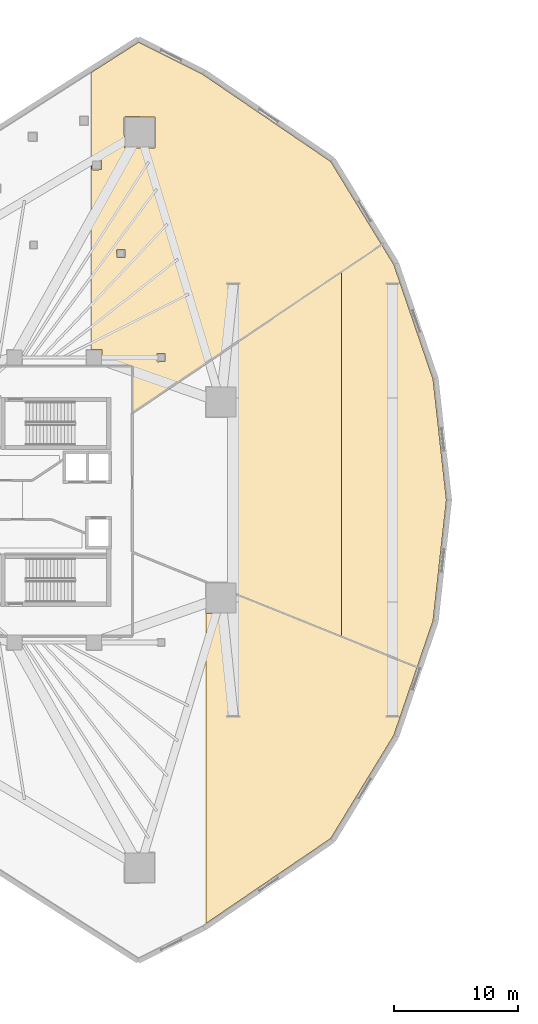
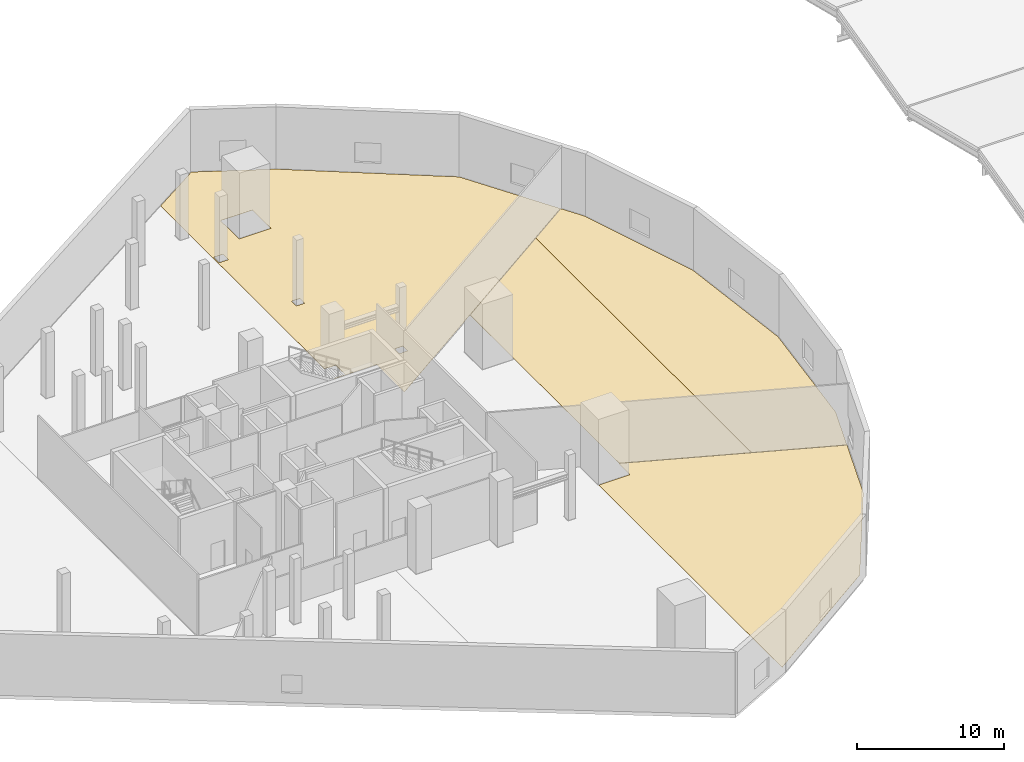
# One storey, part 36 of 36: 4 coverings.
"""IFC4 building model written with IfcOpenShell, lengths in metres."""

from ifc_helpers import new_model, si_unit, direction, frame, origin, place, context, subcontext, project, spatial, polyline, outline, extrude, material, layer, layer_set, type_object, element, save


model = new_model("IFC4")

# Units and contexts
model_context = context("Model", 3, precision=1e-05, world=origin(), true_north=direction((0.0, 1.0)))
body_context = subcontext(model_context, "Body", "Model", "MODEL_VIEW")
ifc_project = project(units=[si_unit("LENGTHUNIT", "METRE"), si_unit("AREAUNIT", "SQUARE_METRE"), si_unit("VOLUMEUNIT", "CUBIC_METRE"), si_unit("PLANEANGLEUNIT", "RADIAN"), si_unit("MASSUNIT", "GRAM", prefix="KILO")], contexts=[model_context])

# Site, building, storey
site_placement = place(None, origin())
site = spatial("IfcSite", under=ifc_project, at=site_placement, CompositionType="ELEMENT")
building_placement = place(site_placement, origin())
building = spatial("IfcBuilding", under=site, at=building_placement, Name="Qorvath Tower", CompositionType="ELEMENT")
storey_placement = place(building_placement, frame((0.0, 0.0, 27.0)))
storey = spatial("IfcBuildingStorey", under=building, at=storey_placement, Name="L05", CompositionType="ELEMENT", Elevation=27.0)

# Coverings
ifc_material = material(Name="Low-VOC modular carpet tile", Category="textile")
ifc_layer = layer(ifc_material, 0.014892578125)
ifc_layer_set = layer_set([ifc_layer], Name="COV-FLOOR-CPT")
covering_type = type_object("IfcCoveringType", Name="COV-FLOOR-CPT", PredefinedType="FLOORING", material=ifc_layer_set)
covering_1_placement = place(storey_placement, origin())
element("IfcCovering", 1, at=covering_1_placement, inside=storey, type_object=covering_type, Name="L05 Floor Finish 012", PredefinedType="FLOORING", context=body_context, shape_type="SweptSolid", body=[
    extrude(outline(polyline([(-17.43896484375, 34.36083984375), (-17.43896484375, 12.10498046875), (-16.5576171875, 12.092529296875), (-16.5576171875, 10.8076171875), (-17.43896484375, 10.8076171875), (-17.43896484375, 10.7626953125), (-14.112060546875, 10.762939453125), (-14.10693359375, 7.01611328125), (5.923828125, 20.527099609375), (1.83154296875, 27.215087890625), (-8.46533203125, 34.224365234375), (-13.619873046875, 36.801513671875), (-17.43896484375, 34.36083984375)]), holes=[polyline([(-12.135009765625, 11.175048828125), (-12.117431640625, 11.767333984375), (-11.482666015625, 11.767333984375), (-11.482666015625, 11.132568359375), (-12.074951171875, 11.114990234375), (-12.135009765625, 11.175048828125)]), polyline([(-14.780029296875, 30.76806640625), (-14.719970703125, 30.827880859375), (-12.277587890625, 30.810546875), (-12.277587890625, 28.32568359375), (-14.762451171875, 28.32568359375), (-14.780029296875, 30.76806640625)]), polyline([(-15.381103515625, 20.093017578125), (-15.321044921875, 20.153076171875), (-14.728759765625, 20.135498046875), (-14.728759765625, 19.500732421875), (-15.363525390625, 19.500732421875), (-15.381103515625, 20.093017578125)]), polyline([(-17.3662109375, 26.604248046875), (-17.3486328125, 27.296630859375), (-16.61376953125, 27.296630859375), (-16.61376953125, 26.561767578125), (-17.30615234375, 26.544189453125), (-17.3662109375, 26.604248046875)])]), origin(), (0.0, 0.0, 1.0), 0.014892578125),
])
covering_2_placement = place(storey_placement, origin())
element("IfcCovering", 2, at=covering_2_placement, inside=storey, type_object=covering_type, Name="L05 Floor Finish 016", PredefinedType="FLOORING", context=body_context, shape_type="SweptSolid", body=[
    extrude(outline(polyline([(-8.201171875, -9.122802734375), (-8.201171875, -34.044677734375), (1.83154296875, -27.215087890625), (6.9072265625, -18.919921875), (8.777099609375, -13.451416015625), (-5.73193359375, -7.5888671875), (-5.74951171875, -9.114501953125), (-8.19189453125, -9.132080078125), (-8.201171875, -9.122802734375)])), origin(), (0.0, 0.0, 1.0), 0.014892578125),
])
covering_3_placement = place(storey_placement, origin())
element("IfcCovering", 3, at=covering_3_placement, inside=storey, type_object=covering_type, Name="L05 Floor Finish 019", PredefinedType="FLOORING", context=body_context, shape_type="SweptSolid", body=[
    extrude(outline(polyline([(2.71826171875, -10.98388671875), (2.71826171875, 18.34326171875), (-5.6943359375, 12.6689453125), (-5.6943359375, -7.58447265625), (2.71826171875, -10.98388671875)])), origin(), (0.0, 0.0, 1.0), 0.014892578125),
])
covering_4_placement = place(storey_placement, origin())
element("IfcCovering", 4, at=covering_4_placement, inside=storey, type_object=covering_type, Name="L05 Floor Finish 020", PredefinedType="FLOORING", context=body_context, shape_type="SweptSolid", body=[
    extrude(outline(polyline([(11.130859375, 0.0), (10.06201171875, 9.69287109375), (6.9072265625, 18.919921875), (5.933349609375, 20.51171875), (2.71826171875, 18.34326171875), (2.71826171875, -10.98388671875), (8.782958984375, -13.434326171875), (10.06201171875, -9.69287109375), (11.130859375, 0.0)])), origin(), (0.0, 0.0, 1.0), 0.014892578125),
])

save(model, "model.ifc")
